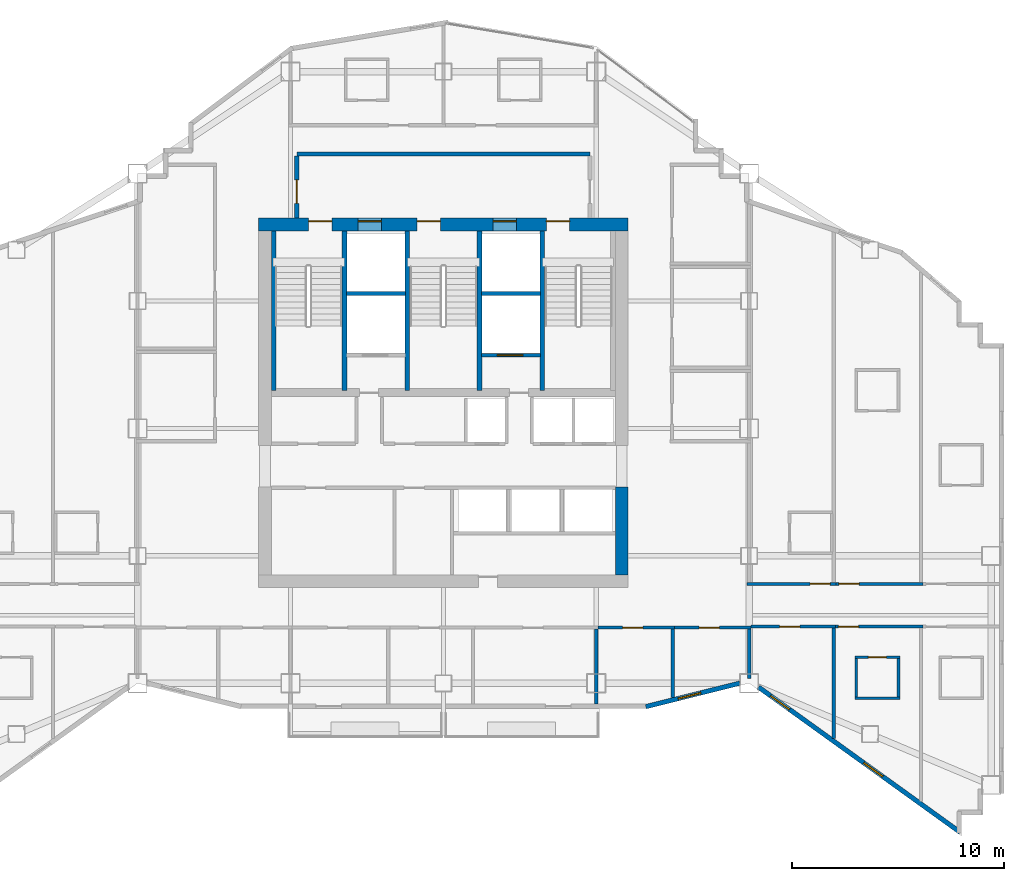
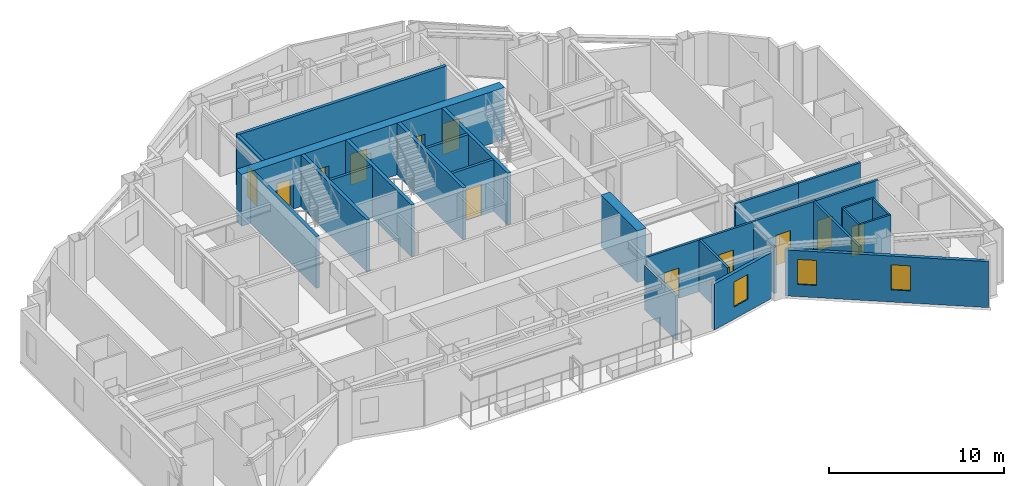
# One storey, part 7 of 11: 28 walls, 14 doors, 3 windows, 17 openings.
"""IFC4 building model written with IfcOpenShell, lengths in metres."""

from ifc_helpers import new_model, si_unit, direction, frame, frame_2d, origin, place, context, subcontext, project, spatial, rectangle, extrude, material, layer, layer_set, type_object, element, fill, save


model = new_model("IFC4")

# Units and contexts
model_context = context("Model", 3, precision=1e-05, world=origin(), true_north=direction((0.0, 1.0)))
body_context = subcontext(model_context, "Body", "Model", "MODEL_VIEW")
ifc_project = project(units=[si_unit("LENGTHUNIT", "METRE"), si_unit("AREAUNIT", "SQUARE_METRE"), si_unit("VOLUMEUNIT", "CUBIC_METRE"), si_unit("PLANEANGLEUNIT", "RADIAN"), si_unit("MASSUNIT", "GRAM", prefix="KILO")], contexts=[model_context])

# Site, building, storey
site_placement = place(None, origin())
site = spatial("IfcSite", under=ifc_project, at=site_placement, CompositionType="ELEMENT")
building_placement = place(site_placement, origin())
building = spatial("IfcBuilding", under=site, at=building_placement, Name="Haolan Belvedere Tower", CompositionType="ELEMENT")
storey_placement = place(building_placement, frame((0.0, 0.0, 191.800048828125)))
storey = spatial("IfcBuildingStorey", under=building, at=storey_placement, Name="L48", CompositionType="ELEMENT", Elevation=191.800048828125)

# Wall, openings, doors
ifc_material_1 = material(Name="Concrete C60/75", Category="concrete")
ifc_layer_1 = layer(ifc_material_1, 0.60009765625, Name="Concrete C60/75")
ifc_layer_set_1 = layer_set([ifc_layer_1], Name="Concrete C60/75")
wall_type_1 = type_object("IfcWallType", Name="WL-CORE-600", PredefinedType="SHEAR", material=ifc_layer_set_1)
wall_1_placement = place(storey_placement, frame((29.699951171875, 43.199951171875, 0.0), z_axis=(0.0, 0.0, 1.0), x_axis=(1.0, 0.0, 0.0)))
wall_1 = element("IfcWall", 1, at=wall_1_placement, inside=storey, type_object=wall_type_1, Name="L48 central core north shear wall", PredefinedType="SHEAR", context=body_context, shape_type="SweptSolid", body=[
    extrude(rectangle(XDim=17.400146484375, YDim=0.60009765625, at=frame_2d((8.7001953125, 0.0))), origin(), (0.0, 0.0, 1.0), 3.619873046875),
])
opening_1_placement = place(wall_1_placement, frame((2.35009765625, 0.0, 0.0)))
opening_1 = element("IfcOpeningElement", 2, at=opening_1_placement, cuts=wall_1, Name="Opening FD-03", PredefinedType="OPENING", context=body_context, shape_type="SweptSolid", body=[
    extrude(rectangle(XDim=1.10009765625, YDim=2.14990234375, at=frame_2d((0.550048828125, 1.074951171875))), frame((0.0, 0.31005859375, 0.0), z_axis=(0.0, -1.0, 0.0), x_axis=(1.0, 0.0, 0.0)), (0.0, 0.0, 1.0), 0.6201171875),
])
opening_2_placement = place(wall_1_placement, frame((7.4599609375, 0.0, 0.0)))
opening_2 = element("IfcOpeningElement", 3, at=opening_2_placement, cuts=wall_1, Name="Opening FD-03", PredefinedType="OPENING", context=body_context, shape_type="SweptSolid", body=[
    extrude(rectangle(XDim=1.10009765625, YDim=2.14990234375, at=frame_2d((0.550048828125, 1.074951171875))), frame((0.0, 0.31005859375, 0.0), z_axis=(0.0, -1.0, 0.0), x_axis=(1.0, 0.0, 0.0)), (0.0, 0.0, 1.0), 0.6201171875),
])
opening_3_placement = place(wall_1_placement, frame((13.550048828125, 0.0, 0.0)))
opening_3 = element("IfcOpeningElement", 4, at=opening_3_placement, cuts=wall_1, Name="Opening FD-03", PredefinedType="OPENING", context=body_context, shape_type="SweptSolid", body=[
    extrude(rectangle(XDim=1.10009765625, YDim=2.14990234375, at=frame_2d((0.550048828125, 1.074951171875))), frame((0.0, 0.31005859375, 0.0), z_axis=(0.0, -1.0, 0.0), x_axis=(1.0, 0.0, 0.0)), (0.0, 0.0, 1.0), 0.6201171875),
])
opening_4_placement = place(wall_1_placement, frame((4.679931640625, 0.0, 0.0)))
opening_4 = element("IfcOpeningElement", 5, at=opening_4_placement, cuts=wall_1, Name="Opening LD-01", PredefinedType="OPENING", context=body_context, shape_type="SweptSolid", body=[
    extrude(rectangle(XDim=1.10009765625, YDim=2.199951171875, at=frame_2d((0.550048828125, 1.10009765625))), frame((0.0, 0.31005859375, 0.0), z_axis=(0.0, -1.0, 0.0), x_axis=(1.0, 0.0, 0.0)), (0.0, 0.0, 1.0), 0.6201171875),
])
opening_5_placement = place(wall_1_placement, frame((11.0400390625, 0.0, 0.0)))
opening_5 = element("IfcOpeningElement", 6, at=opening_5_placement, cuts=wall_1, Name="Opening LD-01", PredefinedType="OPENING", context=body_context, shape_type="SweptSolid", body=[
    extrude(rectangle(XDim=1.10009765625, YDim=2.199951171875, at=frame_2d((0.550048828125, 1.10009765625))), frame((0.0, 0.31005859375, 0.0), z_axis=(0.0, -1.0, 0.0), x_axis=(1.0, 0.0, 0.0)), (0.0, 0.0, 1.0), 0.6201171875),
])
ifc_material_2 = material(Name="Galvanised fire-rated steel", Category="steel")
door_type_1 = type_object("IfcDoorType", Name="DR-FD90-1100", OperationType="NOTDEFINED", PredefinedType="DOOR", material=ifc_material_2)
door_1_placement = place(opening_1_placement, origin())
door_1 = element("IfcDoor", 7, at=door_1_placement, inside=storey, type_object=door_type_1, Name="L48 door CD-L48-ST1", OperationType="SINGLE_SWING_LEFT", OverallHeight=2.14990234375, OverallWidth=1.10009765625, PredefinedType="DOOR", context=body_context, shape_type="SweptSolid", body=[
    extrude(rectangle(XDim=1.10009765625, YDim=2.14990234375, at=frame_2d((0.550048828125, 1.074951171875))), frame((0.0, 0.18505859375, 0.0), z_axis=(0.0, -1.0, 0.0), x_axis=(1.0, 0.0, 0.0)), (0.0, 0.0, 1.0), 0.050048828125),
])
fill(opening_1, door_1)
door_2_placement = place(opening_2_placement, origin())
door_2 = element("IfcDoor", 8, at=door_2_placement, inside=storey, type_object=door_type_1, Name="L48 door CD-L48-ST3", OperationType="SINGLE_SWING_LEFT", OverallHeight=2.14990234375, OverallWidth=1.10009765625, PredefinedType="DOOR", context=body_context, shape_type="SweptSolid", body=[
    extrude(rectangle(XDim=1.10009765625, YDim=2.14990234375, at=frame_2d((0.550048828125, 1.074951171875))), frame((0.0, 0.18505859375, 0.0), z_axis=(0.0, -1.0, 0.0), x_axis=(1.0, 0.0, 0.0)), (0.0, 0.0, 1.0), 0.050048828125),
])
fill(opening_2, door_2)
door_3_placement = place(opening_3_placement, origin())
door_3 = element("IfcDoor", 9, at=door_3_placement, inside=storey, type_object=door_type_1, Name="L48 door CD-L48-ST2", OperationType="SINGLE_SWING_RIGHT", OverallHeight=2.14990234375, OverallWidth=1.10009765625, PredefinedType="DOOR", context=body_context, shape_type="SweptSolid", body=[
    extrude(rectangle(XDim=1.10009765625, YDim=2.14990234375, at=frame_2d((0.550048828125, 1.074951171875))), frame((0.0, 0.18505859375, 0.0), z_axis=(0.0, -1.0, 0.0), x_axis=(1.0, 0.0, 0.0)), (0.0, 0.0, 1.0), 0.050048828125),
])
fill(opening_3, door_3)
ifc_material_3 = material(Name="Brushed champagne stainless steel 316L", Category="steel")
door_type_2 = type_object("IfcDoorType", Name="DR-LIFT-1100", OperationType="SLIDING_TO_LEFT", PredefinedType="DOOR", material=ifc_material_3)
door_4_placement = place(opening_4_placement, origin())
door_4 = element("IfcDoor", 10, at=door_4_placement, inside=storey, type_object=door_type_2, Name="L48 door LD-L48-FF1", OperationType="SLIDING_TO_LEFT", OverallHeight=2.199951171875, OverallWidth=1.10009765625, PredefinedType="DOOR", context=body_context, shape_type="SweptSolid", body=[
    extrude(rectangle(XDim=1.10009765625, YDim=2.199951171875, at=frame_2d((0.550048828125, 1.10009765625))), frame((0.0, 0.18505859375, 0.0), z_axis=(0.0, -1.0, 0.0), x_axis=(1.0, 0.0, 0.0)), (0.0, 0.0, 1.0), 0.050048828125),
])
fill(opening_4, door_4)
door_5_placement = place(opening_5_placement, origin())
door_5 = element("IfcDoor", 11, at=door_5_placement, inside=storey, type_object=door_type_2, Name="L48 door LD-L48-FF2", OperationType="SLIDING_TO_LEFT", OverallHeight=2.199951171875, OverallWidth=1.10009765625, PredefinedType="DOOR", context=body_context, shape_type="SweptSolid", body=[
    extrude(rectangle(XDim=1.10009765625, YDim=2.199951171875, at=frame_2d((0.550048828125, 1.10009765625))), frame((0.0, 0.18505859375, 0.0), z_axis=(0.0, -1.0, 0.0), x_axis=(1.0, 0.0, 0.0)), (0.0, 0.0, 1.0), 0.050048828125),
])
fill(opening_5, door_5)

# Wall
wall_2_placement = place(storey_placement, frame((46.800048828125, 26.699951171875, 0.0), z_axis=(0.0, 0.0, 1.0), x_axis=(0.0, 1.0, 0.0)))
element("IfcWall", 12, at=wall_2_placement, inside=storey, type_object=wall_type_1, Name="L48 central core shear wall ES", PredefinedType="SHEAR", context=body_context, shape_type="SweptSolid", body=[
    extrude(rectangle(XDim=4.150146484375, YDim=0.60009765625, at=frame_2d((2.0751953125, 0.0))), origin(), (0.0, 0.0, 1.0), 3.619873046875),
])

# Wall, opening, window
ifc_material_4 = material(Name="Precast concrete C40/50", Category="concrete")
ifc_layer_2 = layer(ifc_material_4, 0.219970703125, Name="Precast concrete C40/50")
ifc_layer_set_2 = layer_set([ifc_layer_2], Name="Precast concrete C40/50")
wall_type_2 = type_object("IfcWallType", Name="WL-EXT-220", PredefinedType="SOLIDWALL", material=ifc_layer_set_2)
wall_3_placement = place(storey_placement, frame((47.93310546875, 20.49658203125, 0.0), z_axis=(0.0, 0.0, 1.0), x_axis=(0.970142500145, 0.242535625036, 0.0)))
wall_3 = element("IfcWall", 13, at=wall_3_placement, inside=storey, type_object=wall_type_2, Name="L48 pale-metal exterior spandrel wall 2.1", PredefinedType="SOLIDWALL", context=body_context, shape_type="SweptSolid", body=[
    extrude(rectangle(XDim=4.56103515625, YDim=0.219970703125, at=frame_2d((2.280517578125, 0.0))), origin(), (0.0, 0.0, 1.0), 3.21484375),
])
opening_6_placement = place(wall_3_placement, frame((1.56640625, 0.0, 0.85009765625)))
opening_6 = element("IfcOpeningElement", 14, at=opening_6_placement, cuts=wall_3, Name="Opening W-03", PredefinedType="OPENING", context=body_context, shape_type="SweptSolid", body=[
    extrude(rectangle(XDim=1.10009765625, YDim=1.75, at=frame_2d((0.550048828125, 0.875))), frame((0.0, 0.119873046875, 0.0), z_axis=(0.0, -1.0, 0.0), x_axis=(1.0, 0.0, 0.0)), (0.0, 0.0, 1.0), 0.239990234375),
])
ifc_material_5 = material(Name="Anodised aluminium 6063-T6 and Low-E glass", Category="aluminium")
window_type = type_object("IfcWindowType", Name="WN-DECO-Z3", PartitioningType="SINGLE_PANEL", PredefinedType="WINDOW", material=ifc_material_5)
window_1_placement = place(opening_6_placement, origin())
window_1 = element("IfcWindow", 15, at=window_1_placement, inside=storey, type_object=window_type, Name="L48 Art Deco chevron window 1", OverallHeight=1.75, OverallWidth=1.10009765625, PartitioningType="SINGLE_PANEL", PredefinedType="WINDOW", context=body_context, shape_type="SweptSolid", body=[
    extrude(rectangle(XDim=1.10009765625, YDim=1.75, at=frame_2d((0.550048828125, 0.875))), frame((0.0, 0.030029296875, 0.0), z_axis=(0.0, -1.0, 0.0), x_axis=(1.0, 0.0, 0.0)), (0.0, 0.0, 1.0), 0.06005859375),
])
fill(opening_6, window_1)

# Wall, openings, windows
wall_4_placement = place(storey_placement, frame((53.241943359375, 21.417236328125, 0.0), z_axis=(0.0, 0.0, 1.0), x_axis=(0.811534737332, -0.58430417601, 0.0)))
wall_4 = element("IfcWall", 16, at=wall_4_placement, inside=storey, type_object=wall_type_2, Name="L48 pale-metal exterior spandrel wall 3.1", PredefinedType="SOLIDWALL", context=body_context, shape_type="SweptSolid", body=[
    extrude(rectangle(XDim=11.697265625, YDim=0.219970703125, at=frame_2d((5.8486328125, 0.0))), origin(), (0.0, 0.0, 1.0), 3.21484375),
])
opening_7_placement = place(wall_4_placement, frame((0.699951171875, 0.0, 0.85009765625)))
opening_7 = element("IfcOpeningElement", 17, at=opening_7_placement, cuts=wall_4, Name="Opening W-03", PredefinedType="OPENING", context=body_context, shape_type="SweptSolid", body=[
    extrude(rectangle(XDim=1.10009765625, YDim=1.75, at=frame_2d((0.550048828125, 0.875))), frame((0.0, 0.119873046875, 0.0), z_axis=(0.0, -1.0, 0.0), x_axis=(1.0, 0.0, 0.0)), (0.0, 0.0, 1.0), 0.239990234375),
])
opening_8_placement = place(wall_4_placement, frame((6.10009765625, 0.0, 0.85009765625)))
opening_8 = element("IfcOpeningElement", 18, at=opening_8_placement, cuts=wall_4, Name="Opening W-03", PredefinedType="OPENING", context=body_context, shape_type="SweptSolid", body=[
    extrude(rectangle(XDim=1.10009765625, YDim=1.75, at=frame_2d((0.550048828125, 0.875))), frame((0.0, 0.119873046875, 0.0), z_axis=(0.0, -1.0, 0.0), x_axis=(1.0, 0.0, 0.0)), (0.0, 0.0, 1.0), 0.239990234375),
])
window_2_placement = place(opening_7_placement, origin())
window_2 = element("IfcWindow", 19, at=window_2_placement, inside=storey, type_object=window_type, Name="L48 Art Deco chevron window 1", OverallHeight=1.75, OverallWidth=1.10009765625, PartitioningType="SINGLE_PANEL", PredefinedType="WINDOW", context=body_context, shape_type="SweptSolid", body=[
    extrude(rectangle(XDim=1.10009765625, YDim=1.75, at=frame_2d((0.550048828125, 0.875))), frame((0.0, 0.030029296875, 0.0), z_axis=(0.0, -1.0, 0.0), x_axis=(1.0, 0.0, 0.0)), (0.0, 0.0, 1.0), 0.06005859375),
])
fill(opening_7, window_2)
window_3_placement = place(opening_8_placement, origin())
window_3 = element("IfcWindow", 20, at=window_3_placement, inside=storey, type_object=window_type, Name="L48 Art Deco chevron window 2", OverallHeight=1.75, OverallWidth=1.10009765625, PartitioningType="SINGLE_PANEL", PredefinedType="WINDOW", context=body_context, shape_type="SweptSolid", body=[
    extrude(rectangle(XDim=1.10009765625, YDim=1.75, at=frame_2d((0.550048828125, 0.875))), frame((0.0, 0.030029296875, 0.0), z_axis=(0.0, -1.0, 0.0), x_axis=(1.0, 0.0, 0.0)), (0.0, 0.0, 1.0), 0.06005859375),
])
fill(opening_8, window_3)

# Wall
ifc_material_6 = material(Name="Concrete C40/50", Category="concrete")
ifc_layer_3 = layer(ifc_material_6, 0.199951171875, Name="Concrete C40/50")
ifc_layer_set_3 = layer_set([ifc_layer_3], Name="Concrete C40/50")
wall_type_3 = type_object("IfcWallType", Name="WL-FIRE-200", PredefinedType="SOLIDWALL", material=ifc_layer_set_3)
wall_5_placement = place(storey_placement, frame((31.5, 46.52001953125, 0.0), z_axis=(0.0, 0.0, 1.0), x_axis=(1.0, 0.0, 0.0)))
element("IfcWall", 21, at=wall_5_placement, inside=storey, type_object=wall_type_3, Name="L48 interior partition IW-L48-FFL-N", PredefinedType="SOLIDWALL", context=body_context, shape_type="SweptSolid", body=[
    extrude(rectangle(XDim=13.800048828125, YDim=0.199951171875, at=frame_2d((6.89990234375, 0.0))), origin(), (0.0, 0.0, 1.0), 3.619873046875),
])

# Wall, opening, door
wall_6_placement = place(storey_placement, frame((31.5, 43.5, 0.0), z_axis=(0.0, 0.0, 1.0), x_axis=(0.0, 1.0, 0.0)))
wall_6 = element("IfcWall", 22, at=wall_6_placement, inside=storey, type_object=wall_type_3, Name="L48 interior partition IW-L48-FFL-W", PredefinedType="SOLIDWALL", context=body_context, shape_type="SweptSolid", body=[
    extrude(rectangle(XDim=2.93505859375, YDim=0.199951171875, at=frame_2d((1.467529296875, 0.0))), origin(), (0.0, 0.0, 1.0), 3.619873046875),
])
opening_9_placement = place(wall_6_placement, frame((1.800048828125, 0.0, 0.0), z_axis=(0.0, 0.0, 1.0), x_axis=(-1.0, 0.0, 0.0)))
opening_9 = element("IfcOpeningElement", 23, at=opening_9_placement, cuts=wall_6, Name="Opening FD-03", PredefinedType="OPENING", context=body_context, shape_type="SweptSolid", body=[
    extrude(rectangle(XDim=1.10009765625, YDim=2.14990234375, at=frame_2d((0.550048828125, 1.074951171875))), frame((0.0, 0.10986328125, 0.0), z_axis=(0.0, -1.0, 0.0), x_axis=(1.0, 0.0, 0.0)), (0.0, 0.0, 1.0), 0.219970703125),
])
door_6_placement = place(opening_9_placement, origin())
door_6 = element("IfcDoor", 24, at=door_6_placement, inside=storey, type_object=door_type_1, Name="L48 door ID-L48-FFL-DW", OperationType="SINGLE_SWING_LEFT", OverallHeight=2.14990234375, OverallWidth=1.10009765625, PredefinedType="DOOR", context=body_context, shape_type="SweptSolid", body=[
    extrude(rectangle(XDim=1.10009765625, YDim=2.14990234375, at=frame_2d((0.550048828125, 1.074951171875))), frame((0.0, 0.02490234375, 0.0), z_axis=(0.0, -1.0, 0.0), x_axis=(1.0, 0.0, 0.0)), (0.0, 0.0, 1.0), 0.050048828125),
])
fill(opening_9, door_6)

# Wall
ifc_material_7 = material(Name="Double gypsum acoustic stud partition", Category="masonry")
ifc_layer_4 = layer(ifc_material_7, 0.14990234375, Name="Double gypsum acoustic stud partition")
ifc_layer_set_4 = layer_set([ifc_layer_4], Name="Double gypsum acoustic stud partition")
wall_type_4 = type_object("IfcWallType", Name="WL-PART-150", PredefinedType="PARTITIONING", material=ifc_layer_set_4)
wall_7_placement = place(storey_placement, frame((45.60009765625, 20.612060546875, 0.0), z_axis=(0.0, 0.0, 1.0), x_axis=(0.0, 1.0, 0.0)))
element("IfcWall", 25, at=wall_7_placement, inside=storey, type_object=wall_type_4, Name="L48 interior partition IW-L48-KS5-E", PredefinedType="PARTITIONING", context=body_context, shape_type="SweptSolid", body=[
    extrude(rectangle(XDim=3.5478515625, YDim=0.14990234375, at=frame_2d((1.77392578125, 0.0))), origin(), (0.0, 0.0, 1.0), 3.10498046875),
])

# Wall, opening, door
wall_8_placement = place(storey_placement, frame((45.681884765625, 24.219970703125, 0.0), z_axis=(0.0, 0.0, 1.0), x_axis=(1.0, 0.0, 0.0)))
wall_8 = element("IfcWall", 26, at=wall_8_placement, inside=storey, type_object=wall_type_4, Name="L48 interior partition IW-L48-KS6-N", PredefinedType="PARTITIONING", context=body_context, shape_type="SweptSolid", body=[
    extrude(rectangle(XDim=3.59814453125, YDim=0.14990234375, at=frame_2d((1.799072265625, 0.0))), origin(), (0.0, 0.0, 1.0), 3.619873046875),
])
opening_10_placement = place(wall_8_placement, frame((2.113037109375, 0.0, 0.0), z_axis=(0.0, 0.0, 1.0), x_axis=(-1.0, 0.0, 0.0)))
opening_10 = element("IfcOpeningElement", 27, at=opening_10_placement, cuts=wall_8, Name="Opening ID-03", PredefinedType="OPENING", context=body_context, shape_type="SweptSolid", body=[
    extrude(rectangle(XDim=0.949951171875, YDim=2.1201171875, at=frame_2d((0.47509765625, 1.06005859375))), frame((0.0, 0.0849609375, 0.0), z_axis=(0.0, -1.0, 0.0), x_axis=(1.0, 0.0, 0.0)), (0.0, 0.0, 1.0), 0.169921875),
])
ifc_material_8 = material(Name="Painted solid-core timber", Category="wood")
door_type_3 = type_object("IfcDoorType", Name="DR-INT-950", OperationType="NOTDEFINED", PredefinedType="DOOR", material=ifc_material_8)
door_7_placement = place(opening_10_placement, origin())
door_7 = element("IfcDoor", 28, at=door_7_placement, inside=storey, type_object=door_type_3, Name="L48 door ID-L48-KS6", OperationType="SINGLE_SWING_LEFT", OverallHeight=2.1201171875, OverallWidth=0.949951171875, PredefinedType="DOOR", context=body_context, shape_type="SweptSolid", body=[
    extrude(rectangle(XDim=0.949951171875, YDim=2.1201171875, at=frame_2d((0.47509765625, 1.06005859375))), frame((0.0, 0.02490234375, 0.0), z_axis=(0.0, -1.0, 0.0), x_axis=(1.0, 0.0, 0.0)), (0.0, 0.0, 1.0), 0.050048828125),
])
fill(opening_10, door_7)

# Wall
wall_9_placement = place(storey_placement, frame((49.199951171875, 20.91845703125, 0.0), z_axis=(0.0, 0.0, 1.0), x_axis=(0.0, 1.0, 0.0)))
element("IfcWall", 29, at=wall_9_placement, inside=storey, type_object=wall_type_4, Name="L48 interior partition IW-L48-KS6-E", PredefinedType="PARTITIONING", context=body_context, shape_type="SweptSolid", body=[
    extrude(rectangle(XDim=3.241455078125, YDim=0.14990234375, at=frame_2d((1.62060546875, 0.0))), origin(), (0.0, 0.0, 1.0), 3.619873046875),
])

# Wall, opening, door
wall_10_placement = place(storey_placement, frame((49.281982421875, 24.219970703125, 0.0), z_axis=(0.0, 0.0, 1.0), x_axis=(1.0, 0.0, 0.0)))
wall_10 = element("IfcWall", 30, at=wall_10_placement, inside=storey, type_object=wall_type_4, Name="L48 interior partition IW-L48-KS7-N", PredefinedType="PARTITIONING", context=body_context, shape_type="SweptSolid", body=[
    extrude(rectangle(XDim=3.597900390625, YDim=0.14990234375, at=frame_2d((1.798828125, 0.0))), origin(), (0.0, 0.0, 1.0), 3.619873046875),
])
opening_11_placement = place(wall_10_placement, frame((2.113037109375, 0.0, 0.0), z_axis=(0.0, 0.0, 1.0), x_axis=(-1.0, 0.0, 0.0)))
opening_11 = element("IfcOpeningElement", 31, at=opening_11_placement, cuts=wall_10, Name="Opening ID-03", PredefinedType="OPENING", context=body_context, shape_type="SweptSolid", body=[
    extrude(rectangle(XDim=0.949951171875, YDim=2.1201171875, at=frame_2d((0.47509765625, 1.06005859375))), frame((0.0, 0.0849609375, 0.0), z_axis=(0.0, -1.0, 0.0), x_axis=(1.0, 0.0, 0.0)), (0.0, 0.0, 1.0), 0.169921875),
])
door_8_placement = place(opening_11_placement, origin())
door_8 = element("IfcDoor", 32, at=door_8_placement, inside=storey, type_object=door_type_3, Name="L48 door ID-L48-KS7", OperationType="SINGLE_SWING_RIGHT", OverallHeight=2.1201171875, OverallWidth=0.949951171875, PredefinedType="DOOR", context=body_context, shape_type="SweptSolid", body=[
    extrude(rectangle(XDim=0.949951171875, YDim=2.1201171875, at=frame_2d((0.47509765625, 1.06005859375))), frame((0.0, 0.02490234375, 0.0), z_axis=(0.0, -1.0, 0.0), x_axis=(1.0, 0.0, 0.0)), (0.0, 0.0, 1.0), 0.050048828125),
])
fill(opening_11, door_8)

# Wall
wall_11_placement = place(storey_placement, frame((52.800048828125, 21.818603515625, 0.0), z_axis=(0.0, 0.0, 1.0), x_axis=(0.0, 1.0, 0.0)))
element("IfcWall", 33, at=wall_11_placement, inside=storey, type_object=wall_type_4, Name="L48 interior partition IW-L48-KS7-E", PredefinedType="PARTITIONING", context=body_context, shape_type="SweptSolid", body=[
    extrude(rectangle(XDim=2.34130859375, YDim=0.14990234375, at=frame_2d((1.170654296875, 0.0))), origin(), (0.0, 0.0, 1.0), 3.21484375),
])

# Wall, opening, door
wall_12_placement = place(storey_placement, frame((52.699951171875, 26.280029296875, 0.0), z_axis=(0.0, 0.0, 1.0), x_axis=(1.0, 0.0, 0.0)))
wall_12 = element("IfcWall", 34, at=wall_12_placement, inside=storey, type_object=wall_type_4, Name="L48 interior partition IW-L48-T4N1-S", PredefinedType="PARTITIONING", context=body_context, shape_type="SweptSolid", body=[
    extrude(rectangle(XDim=4.179931640625, YDim=0.14990234375, at=frame_2d((2.08984375, 0.0))), origin(), (0.0, 0.0, 1.0), 3.619873046875),
])
opening_12_placement = place(wall_12_placement, frame((2.966064453125, 0.0, 0.0)))
opening_12 = element("IfcOpeningElement", 35, at=opening_12_placement, cuts=wall_12, Name="Opening ID-01", PredefinedType="OPENING", context=body_context, shape_type="SweptSolid", body=[
    extrude(rectangle(XDim=0.949951171875, YDim=2.179931640625, at=frame_2d((0.47509765625, 1.08984375))), frame((0.0, 0.0849609375, 0.0), z_axis=(0.0, -1.0, 0.0), x_axis=(1.0, 0.0, 0.0)), (0.0, 0.0, 1.0), 0.169921875),
])
ifc_material_9 = material(Name="Acoustic walnut veneer fire-rated timber", Category="wood")
door_type_4 = type_object("IfcDoorType", Name="DR-SUITE-950", OperationType="NOTDEFINED", PredefinedType="DOOR", material=ifc_material_9)
door_9_placement = place(opening_12_placement, origin())
door_9 = element("IfcDoor", 36, at=door_9_placement, inside=storey, type_object=door_type_4, Name="L48 door ID-L48-T4N1-ENT", OperationType="SINGLE_SWING_LEFT", OverallHeight=2.179931640625, OverallWidth=0.949951171875, PredefinedType="DOOR", context=body_context, shape_type="SweptSolid", body=[
    extrude(rectangle(XDim=0.949951171875, YDim=2.179931640625, at=frame_2d((0.47509765625, 1.08984375))), frame((0.0, 0.02490234375, 0.0), z_axis=(0.0, -1.0, 0.0), x_axis=(1.0, 0.0, 0.0)), (0.0, 0.0, 1.0), 0.050048828125),
])
fill(opening_12, door_9)

wall_13_placement = place(storey_placement, frame((56.882080078125, 26.280029296875, 0.0), z_axis=(0.0, 0.0, 1.0), x_axis=(1.0, 0.0, 0.0)))
wall_13 = element("IfcWall", 37, at=wall_13_placement, inside=storey, type_object=wall_type_4, Name="L48 interior partition IW-L48-T4N2-S", PredefinedType="PARTITIONING", context=body_context, shape_type="SweptSolid", body=[
    extrude(rectangle(XDim=4.10791015625, YDim=0.14990234375, at=frame_2d((2.053955078125, 0.0))), origin(), (0.0, 0.0, 1.0), 3.619873046875),
])
opening_13_placement = place(wall_13_placement, frame((0.139892578125, 0.0, 0.0)))
opening_13 = element("IfcOpeningElement", 38, at=opening_13_placement, cuts=wall_13, Name="Opening ID-01", PredefinedType="OPENING", context=body_context, shape_type="SweptSolid", body=[
    extrude(rectangle(XDim=0.949951171875, YDim=2.179931640625, at=frame_2d((0.47509765625, 1.08984375))), frame((0.0, 0.0849609375, 0.0), z_axis=(0.0, -1.0, 0.0), x_axis=(1.0, 0.0, 0.0)), (0.0, 0.0, 1.0), 0.169921875),
])
door_10_placement = place(opening_13_placement, origin())
door_10 = element("IfcDoor", 39, at=door_10_placement, inside=storey, type_object=door_type_4, Name="L48 door ID-L48-T4N2-ENT", OperationType="SINGLE_SWING_RIGHT", OverallHeight=2.179931640625, OverallWidth=0.949951171875, PredefinedType="DOOR", context=body_context, shape_type="SweptSolid", body=[
    extrude(rectangle(XDim=0.949951171875, YDim=2.179931640625, at=frame_2d((0.47509765625, 1.08984375))), frame((0.0, 0.02490234375, 0.0), z_axis=(0.0, -1.0, 0.0), x_axis=(1.0, 0.0, 0.0)), (0.0, 0.0, 1.0), 0.050048828125),
])
fill(opening_13, door_10)

wall_14_placement = place(storey_placement, frame((52.882080078125, 24.27001953125, 0.0), z_axis=(0.0, 0.0, 1.0), x_axis=(1.0, 0.0, 0.0)))
wall_14 = element("IfcWall", 40, at=wall_14_placement, inside=storey, type_object=wall_type_4, Name="L48 interior partition IW-L48-T4S1-N", PredefinedType="PARTITIONING", context=body_context, shape_type="SweptSolid", body=[
    extrude(rectangle(XDim=3.97802734375, YDim=0.14990234375, at=frame_2d((1.989013671875, 0.0))), origin(), (0.0, 0.0, 1.0), 3.619873046875),
])
opening_14_placement = place(wall_14_placement, frame((2.302978515625, 0.0, 0.0), z_axis=(0.0, 0.0, 1.0), x_axis=(-1.0, 0.0, 0.0)))
opening_14 = element("IfcOpeningElement", 41, at=opening_14_placement, cuts=wall_14, Name="Opening ID-03", PredefinedType="OPENING", context=body_context, shape_type="SweptSolid", body=[
    extrude(rectangle(XDim=0.949951171875, YDim=2.1201171875, at=frame_2d((0.47509765625, 1.06005859375))), frame((0.0, 0.0849609375, 0.0), z_axis=(0.0, -1.0, 0.0), x_axis=(1.0, 0.0, 0.0)), (0.0, 0.0, 1.0), 0.169921875),
])
door_11_placement = place(opening_14_placement, origin())
door_11 = element("IfcDoor", 42, at=door_11_placement, inside=storey, type_object=door_type_3, Name="L48 door ID-L48-T4S1", OperationType="SINGLE_SWING_RIGHT", OverallHeight=2.1201171875, OverallWidth=0.949951171875, PredefinedType="DOOR", context=body_context, shape_type="SweptSolid", body=[
    extrude(rectangle(XDim=0.949951171875, YDim=2.1201171875, at=frame_2d((0.47509765625, 1.06005859375))), frame((0.0, 0.02490234375, 0.0), z_axis=(0.0, -1.0, 0.0), x_axis=(1.0, 0.0, 0.0)), (0.0, 0.0, 1.0), 0.050048828125),
])
fill(opening_14, door_11)

# Wall
wall_15_placement = place(storey_placement, frame((56.780029296875, 18.99560546875, 0.0), z_axis=(0.0, 0.0, 1.0), x_axis=(0.0, 1.0, 0.0)))
element("IfcWall", 43, at=wall_15_placement, inside=storey, type_object=wall_type_4, Name="L48 interior partition IW-L48-T4S1-E", PredefinedType="PARTITIONING", context=body_context, shape_type="SweptSolid", body=[
    extrude(rectangle(XDim=5.21435546875, YDim=0.14990234375, at=frame_2d((2.607177734375, 0.0))), origin(), (0.0, 0.0, 1.0), 3.619873046875),
])

# Wall, opening, door
wall_16_placement = place(storey_placement, frame((56.862060546875, 24.27001953125, 0.0), z_axis=(0.0, 0.0, 1.0), x_axis=(1.0, 0.0, 0.0)))
wall_16 = element("IfcWall", 44, at=wall_16_placement, inside=storey, type_object=wall_type_4, Name="L48 interior partition IW-L48-T4S2-N", PredefinedType="PARTITIONING", context=body_context, shape_type="SweptSolid", body=[
    extrude(rectangle(XDim=4.1279296875, YDim=0.14990234375, at=frame_2d((2.06396484375, 0.0))), origin(), (0.0, 0.0, 1.0), 3.619873046875),
])
opening_15_placement = place(wall_16_placement, frame((1.08984375, 0.0, 0.0), z_axis=(0.0, 0.0, 1.0), x_axis=(-1.0, 0.0, 0.0)))
opening_15 = element("IfcOpeningElement", 45, at=opening_15_placement, cuts=wall_16, Name="Opening ID-02", PredefinedType="OPENING", context=body_context, shape_type="SweptSolid", body=[
    extrude(rectangle(XDim=0.949951171875, YDim=2.14990234375, at=frame_2d((0.47509765625, 1.074951171875))), frame((0.0, 0.0849609375, 0.0), z_axis=(0.0, -1.0, 0.0), x_axis=(1.0, 0.0, 0.0)), (0.0, 0.0, 1.0), 0.169921875),
])
ifc_material_10 = material(Name="Acoustic oak veneer fire-rated timber", Category="wood")
door_type_5 = type_object("IfcDoorType", Name="DR-GUEST-950", OperationType="NOTDEFINED", PredefinedType="DOOR", material=ifc_material_10)
door_12_placement = place(opening_15_placement, origin())
door_12 = element("IfcDoor", 46, at=door_12_placement, inside=storey, type_object=door_type_5, Name="L48 door ID-L48-T4S2-ENT", OperationType="SINGLE_SWING_LEFT", OverallHeight=2.14990234375, OverallWidth=0.949951171875, PredefinedType="DOOR", context=body_context, shape_type="SweptSolid", body=[
    extrude(rectangle(XDim=0.949951171875, YDim=2.14990234375, at=frame_2d((0.47509765625, 1.074951171875))), frame((0.0, 0.02490234375, 0.0), z_axis=(0.0, -1.0, 0.0), x_axis=(1.0, 0.0, 0.0)), (0.0, 0.0, 1.0), 0.050048828125),
])
fill(opening_15, door_12)

# Walls
ifc_layer_5 = layer(ifc_material_4, 0.179931640625, Name="Precast concrete C40/50")
ifc_layer_set_5 = layer_set([ifc_layer_5], Name="Precast concrete C40/50")
wall_type_5 = type_object("IfcWallType", Name="WL-SHAFT-180", PredefinedType="SOLIDWALL", material=ifc_layer_set_5)
for number, where, z_axis, x_axis, name in (
    (47, (33.8349609375, 39.949951171875, 0.0), (0.0, 0.0, 1.0), (1.0, 0.0, 0.0), "L48 interior partition IW-L48-FF1-S"),
    (48, (40.195068359375, 39.949951171875, 0.0), (0.0, 0.0, 1.0), (1.0, 0.0, 0.0), "L48 interior partition IW-L48-FF2-S"),
):
    element("IfcWall", number, at=place(storey_placement, frame(where, z_axis=z_axis, x_axis=x_axis)), inside=storey, type_object=wall_type_5, Name=name, PredefinedType="SOLIDWALL", context=body_context, shape_type="SweptSolid", body=[
        extrude(rectangle(XDim=2.77001953125, YDim=0.179931640625, at=frame_2d((1.385009765625, 0.0))), origin(), (0.0, 0.0, 1.0), 3.619873046875),
    ])

# Wall, opening, door
wall_17_placement = place(storey_placement, frame((40.195068359375, 37.050048828125, 0.0), z_axis=(0.0, 0.0, 1.0), x_axis=(1.0, 0.0, 0.0)))
wall_17 = element("IfcWall", 49, at=wall_17_placement, inside=storey, type_object=wall_type_5, Name="L48 interior partition IW-L48-SV2-S", PredefinedType="SOLIDWALL", context=body_context, shape_type="SweptSolid", body=[
    extrude(rectangle(XDim=2.77001953125, YDim=0.179931640625, at=frame_2d((1.385009765625, 0.0))), origin(), (0.0, 0.0, 1.0), 3.619873046875),
])
opening_16_placement = place(wall_17_placement, frame((1.945068359375, 0.0, 0.0), z_axis=(0.0, 0.0, 1.0), x_axis=(-1.0, 0.0, 0.0)))
opening_16 = element("IfcOpeningElement", 50, at=opening_16_placement, cuts=wall_17, Name="Opening LD-02", PredefinedType="OPENING", context=body_context, shape_type="SweptSolid", body=[
    extrude(rectangle(XDim=1.199951171875, YDim=2.199951171875, at=frame_2d((0.60009765625, 1.10009765625))), frame((0.0, 0.099853515625, 0.0), z_axis=(0.0, -1.0, 0.0), x_axis=(1.0, 0.0, 0.0)), (0.0, 0.0, 1.0), 0.199951171875),
])
door_type_6 = type_object("IfcDoorType", Name="DR-LIFT-1200", OperationType="SLIDING_TO_RIGHT", PredefinedType="DOOR", material=ifc_material_3)
door_13_placement = place(opening_16_placement, origin())
door_13 = element("IfcDoor", 51, at=door_13_placement, inside=storey, type_object=door_type_6, Name="L48 door ID-L48-LD-SV2", OperationType="SLIDING_TO_RIGHT", OverallHeight=2.199951171875, OverallWidth=1.199951171875, PredefinedType="DOOR", context=body_context, shape_type="SweptSolid", body=[
    extrude(rectangle(XDim=1.199951171875, YDim=2.199951171875, at=frame_2d((0.60009765625, 1.10009765625))), frame((0.0, 0.02490234375, 0.0), z_axis=(0.0, -1.0, 0.0), x_axis=(1.0, 0.0, 0.0)), (0.0, 0.0, 1.0), 0.050048828125),
])
fill(opening_16, door_13)

# Walls
ifc_material_11 = material(Name="Concrete C50/60", Category="concrete")
ifc_layer_6 = layer(ifc_material_11, 0.219970703125, Name="Concrete C50/60")
ifc_layer_set_6 = layer_set([ifc_layer_6], Name="Concrete C50/60")
wall_type_6 = type_object("IfcWallType", Name="WL-STAIR-220", PredefinedType="SHEAR", material=ifc_layer_set_6)
for number, where, z_axis, x_axis, name in (
    (52, (30.412109375, 35.389892578125, 0.0), (0.0, 0.0, 1.0), (0.0, 1.0, 0.0), "L48 structural stair core wall ST1W"),
    (53, (33.739990234375, 35.389892578125, 0.0), (0.0, 0.0, 1.0), (0.0, 1.0, 0.0), "L48 structural stair core wall ST1E"),
    (54, (36.699951171875, 35.389892578125, 0.0), (0.0, 0.0, 1.0), (0.0, 1.0, 0.0), "L48 structural stair core wall ST3W"),
    (55, (40.10009765625, 35.389892578125, 0.0), (0.0, 0.0, 1.0), (0.0, 1.0, 0.0), "L48 structural stair core wall ST3E"),
    (56, (43.06005859375, 35.389892578125, 0.0), (0.0, 0.0, 1.0), (0.0, 1.0, 0.0), "L48 structural stair core wall ST2W"),
):
    element("IfcWall", number, at=place(storey_placement, frame(where, z_axis=z_axis, x_axis=x_axis)), inside=storey, type_object=wall_type_6, Name=name, PredefinedType="SHEAR", context=body_context, shape_type="SweptSolid", body=[
        extrude(rectangle(XDim=7.510009765625, YDim=0.219970703125, at=frame_2d((3.7548828125, 0.0))), origin(), (0.0, 0.0, 1.0), 3.619873046875),
    ])

# Wall, opening, door
ifc_material_12 = material(Name="Moisture-resistant gypsum tile partition", Category="masonry")
ifc_layer_7 = layer(ifc_material_12, 0.1201171875, Name="Moisture-resistant gypsum tile partition")
ifc_layer_set_7 = layer_set([ifc_layer_7], Name="Moisture-resistant gypsum tile partition")
wall_type_7 = type_object("IfcWallType", Name="WL-WET-120", PredefinedType="PARTITIONING", material=ifc_layer_set_7)
wall_18_placement = place(storey_placement, frame((57.791015625, 22.820068359375, 0.0), z_axis=(0.0, 0.0, 1.0), x_axis=(1.0, 0.0, 0.0)))
wall_18 = element("IfcWall", 57, at=wall_18_placement, inside=storey, type_object=wall_type_7, Name="L48 interior partition IW-L48-T4S2-BN", PredefinedType="PARTITIONING", context=body_context, shape_type="SweptSolid", body=[
    extrude(rectangle(XDim=2.10009765625, YDim=0.1201171875, at=frame_2d((1.050048828125, 0.0))), origin(), (0.0, 0.0, 1.0), 3.619873046875),
])
opening_17_placement = place(wall_18_placement, frame((1.47509765625, 0.0, 0.0), z_axis=(0.0, 0.0, 1.0), x_axis=(-1.0, 0.0, 0.0)))
opening_17 = element("IfcOpeningElement", 58, at=opening_17_placement, cuts=wall_18, Name="Opening ID-05", PredefinedType="OPENING", context=body_context, shape_type="SweptSolid", body=[
    extrude(rectangle(XDim=0.85009765625, YDim=2.10009765625, at=frame_2d((0.425048828125, 1.050048828125))), frame((0.0, 0.070068359375, 0.0), z_axis=(0.0, -1.0, 0.0), x_axis=(1.0, 0.0, 0.0)), (0.0, 0.0, 1.0), 0.14013671875),
])
ifc_material_13 = material(Name="Moisture-resistant lacquered timber", Category="wood")
door_type_7 = type_object("IfcDoorType", Name="DR-BATH-850", OperationType="NOTDEFINED", PredefinedType="DOOR", material=ifc_material_13)
door_14_placement = place(opening_17_placement, origin())
door_14 = element("IfcDoor", 59, at=door_14_placement, inside=storey, type_object=door_type_7, Name="L48 door ID-L48-T4S2-BATH", OperationType="SINGLE_SWING_RIGHT", OverallHeight=2.10009765625, OverallWidth=0.85009765625, PredefinedType="DOOR", context=body_context, shape_type="SweptSolid", body=[
    extrude(rectangle(XDim=0.85009765625, YDim=2.10009765625, at=frame_2d((0.425048828125, 1.050048828125))), frame((0.0, 0.02490234375, 0.0), z_axis=(0.0, -1.0, 0.0), x_axis=(1.0, 0.0, 0.0)), (0.0, 0.0, 1.0), 0.050048828125),
])
fill(opening_17, door_14)

# Walls
wall_19_placement = place(storey_placement, frame((57.791015625, 20.89990234375, 0.0), z_axis=(0.0, 0.0, 1.0), x_axis=(1.0, 0.0, 0.0)))
element("IfcWall", 60, at=wall_19_placement, inside=storey, type_object=wall_type_7, Name="L48 interior partition IW-L48-T4S2-BS", PredefinedType="PARTITIONING", context=body_context, shape_type="SweptSolid", body=[
    extrude(rectangle(XDim=2.10009765625, YDim=0.1201171875, at=frame_2d((1.050048828125, 0.0))), origin(), (0.0, 0.0, 1.0), 3.619873046875),
])
for number, where, z_axis, x_axis, name in (
    (61, (57.85107421875, 20.945068359375, 0.0), (0.0, 0.0, 1.0), (0.0, 1.0, 0.0), "L48 interior partition IW-L48-T4S2-BW"),
    (62, (59.8310546875, 20.945068359375, 0.0), (0.0, 0.0, 1.0), (0.0, 1.0, 0.0), "L48 interior partition IW-L48-T4S2-BE"),
):
    element("IfcWall", number, at=place(storey_placement, frame(where, z_axis=z_axis, x_axis=x_axis)), inside=storey, type_object=wall_type_7, Name=name, PredefinedType="PARTITIONING", context=body_context, shape_type="SweptSolid", body=[
        extrude(rectangle(XDim=1.829833984375, YDim=0.1201171875, at=frame_2d((0.9150390625, 0.0))), origin(), (0.0, 0.0, 1.0), 3.619873046875),
    ])

save(model, "model.ifc")
